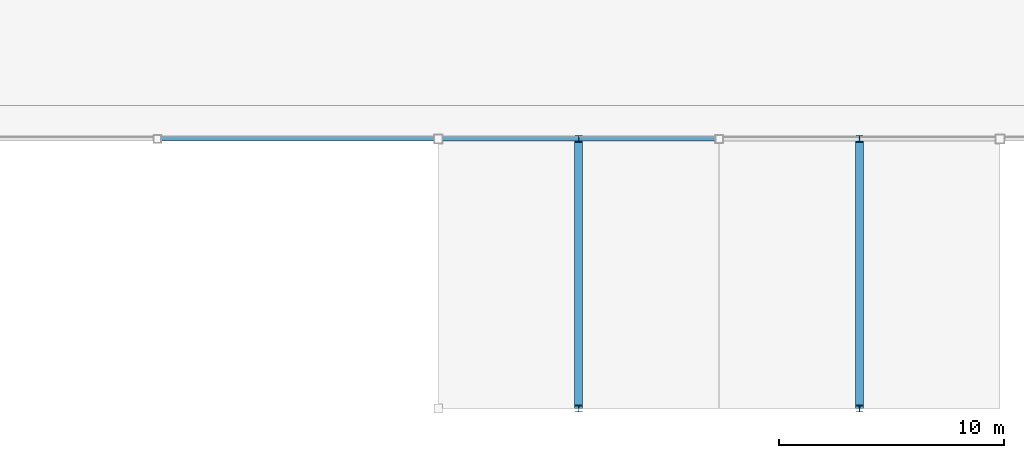
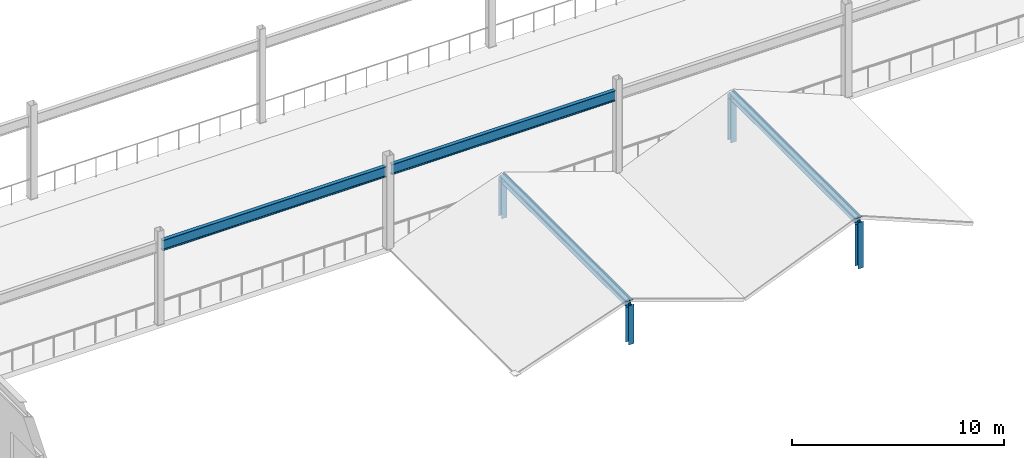
# One storey, part 32 of 105: 6 members, 2 beams.
"""IFC4 building model written with IfcOpenShell, lengths in metres."""

from ifc_helpers import new_model, si_unit, direction, frame, origin, origin_2d, place, context, subcontext, project, spatial, i_section, extrude, material, material_profile, profile_set, type_object, element, save


model = new_model("IFC4")

# Units and contexts
model_context = context("Model", 3, precision=1e-05, world=origin(), true_north=direction((0.0, 1.0)))
body_context = subcontext(model_context, "Body", "Model", "MODEL_VIEW")
ifc_project = project(units=[si_unit("LENGTHUNIT", "METRE"), si_unit("AREAUNIT", "SQUARE_METRE"), si_unit("VOLUMEUNIT", "CUBIC_METRE"), si_unit("PLANEANGLEUNIT", "RADIAN"), si_unit("MASSUNIT", "GRAM", prefix="KILO")], contexts=[model_context])

# Site, building, storey
site_placement = place(None, origin())
site = spatial("IfcSite", under=ifc_project, at=site_placement, CompositionType="ELEMENT")
building_placement = place(site_placement, origin())
building = spatial("IfcBuilding", under=site, at=building_placement, Name="Kazenohara Klinker Stadium", CompositionType="ELEMENT")
storey_placement = place(building_placement, frame((0.0, 0.0, 20.39990234375)))
storey = spatial("IfcBuildingStorey", under=building, at=storey_placement, Name="L04", CompositionType="ELEMENT", Elevation=20.39990234375)

# Beams
ifc_material = material(Name="Steel S355", Category="steel")
ifc_material_profile_1 = material_profile(ifc_material, i_section(OverallWidth=0.199951171875, OverallDepth=0.60009765625, WebThickness=0.010986328125, FlangeThickness=0.01708984375, FilletRadius=0.012939453125, at=origin_2d()), Name="H-600x200x11x17")
ifc_profile_set_1 = profile_set([ifc_material_profile_1], Name="Steel S355")
beam_type = type_object("IfcBeamType", Name="BM-ST04", PredefinedType="BEAM", material=ifc_profile_set_1)
for number, where, z_axis, x_axis, name in (
    (1, (61.639892578125, 24.0, 4.4501953125), (1.0, 0.0, 0.0), (0.0, 1.0, 0.0), "Canopy tie girder SB04 L04 6-7/C"),
    (2, (74.139892578125, 24.0, 4.4501953125), (1.0, 0.0, 0.0), (0.0, 1.0, 0.0), "Canopy tie girder SB04 L04 7-8/C"),
):
    element("IfcBeam", number, at=place(storey_placement, frame(where, z_axis=z_axis, x_axis=x_axis)), inside=storey, type_object=beam_type, Name=name, PredefinedType="BEAM", context=body_context, shape_type="SweptSolid", body=[
        extrude(i_section(OverallWidth=0.199951171875, OverallDepth=0.60009765625, WebThickness=0.010986328125, FlangeThickness=0.01708984375, FilletRadius=0.012939453125, at=origin_2d()), origin(), (0.0, 0.0, 1.0), 12.22021484375),
    ])

# Members
ifc_material_profile_2 = material_profile(ifc_material, i_section(OverallWidth=0.35009765625, OverallDepth=0.35009765625, WebThickness=0.011962890625, FlangeThickness=0.01904296875, FilletRadius=0.012939453125, at=origin_2d()), Name="H-350x350x12x19")
ifc_profile_set_2 = profile_set([ifc_material_profile_2], Name="Steel S355")
member_type_1 = type_object("IfcMemberType", Name="MEM-CHD02", PredefinedType="CHORD", material=ifc_profile_set_2)
for number, where, z_axis, x_axis, name in (
    (3, (80.25, 12.0, 1.830078125), (0.0, 1.0, 0.0), (-1.0, 0.0, 0.0), "Stepped pavilion gable ridge beam L04 7/B"),
    (4, (92.75, 12.0, 2.22998046875), (0.0, 1.0, 0.0), (-1.0, 0.0, 0.0), "Stepped pavilion gable ridge beam L04 8/B"),
):
    element("IfcMember", number, at=place(storey_placement, frame(where, z_axis=z_axis, x_axis=x_axis)), inside=storey, type_object=member_type_1, Name=name, PredefinedType="CHORD", context=body_context, shape_type="SweptSolid", body=[
        extrude(i_section(OverallWidth=0.35009765625, OverallDepth=0.35009765625, WebThickness=0.011962890625, FlangeThickness=0.01904296875, FilletRadius=0.012939453125, at=origin_2d()), origin(), (0.0, 0.0, 1.0), 12.0),
    ])
ifc_material_profile_3 = material_profile(ifc_material, i_section(OverallWidth=0.300048828125, OverallDepth=0.300048828125, WebThickness=0.010009765625, FlangeThickness=0.014892578125, FilletRadius=0.012939453125, at=origin_2d()), Name="H-300x300x10x15")
ifc_profile_set_3 = profile_set([ifc_material_profile_3], Name="Steel S355")
member_type_2 = type_object("IfcMemberType", Name="MEM-STR01", PredefinedType="STRUT", material=ifc_profile_set_3)
for number, where, z_axis, x_axis, name in (
    (5, (80.25, 12.0, -0.429931640625), (0.0, 0.0, 1.0), (1.0, 0.0, 0.0), "Stepped pavilion gable king-post L04 7/B S"),
    (6, (80.25, 24.0, -0.429931640625), (0.0, 0.0, 1.0), (1.0, 0.0, 0.0), "Stepped pavilion gable king-post L04 7/B N"),
):
    element("IfcMember", number, at=place(storey_placement, frame(where, z_axis=z_axis, x_axis=x_axis)), inside=storey, type_object=member_type_2, Name=name, PredefinedType="STRUT", context=body_context, shape_type="SweptSolid", body=[
        extrude(i_section(OverallWidth=0.300048828125, OverallDepth=0.300048828125, WebThickness=0.010009765625, FlangeThickness=0.014892578125, FilletRadius=0.012939453125, at=origin_2d()), origin(), (0.0, 0.0, 1.0), 2.260009765625),
    ])
for number, where, z_axis, x_axis, name in (
    (7, (92.75, 12.0, -0.429931640625), (0.0, 0.0, 1.0), (1.0, 0.0, 0.0), "Stepped pavilion gable king-post L04 8/B S"),
    (8, (92.75, 24.0, -0.429931640625), (0.0, 0.0, 1.0), (1.0, 0.0, 0.0), "Stepped pavilion gable king-post L04 8/B N"),
):
    element("IfcMember", number, at=place(storey_placement, frame(where, z_axis=z_axis, x_axis=x_axis)), inside=storey, type_object=member_type_2, Name=name, PredefinedType="STRUT", context=body_context, shape_type="SweptSolid", body=[
        extrude(i_section(OverallWidth=0.300048828125, OverallDepth=0.300048828125, WebThickness=0.010009765625, FlangeThickness=0.014892578125, FilletRadius=0.012939453125, at=origin_2d()), origin(), (0.0, 0.0, 1.0), 2.659912109375),
    ])

save(model, "model.ifc")
